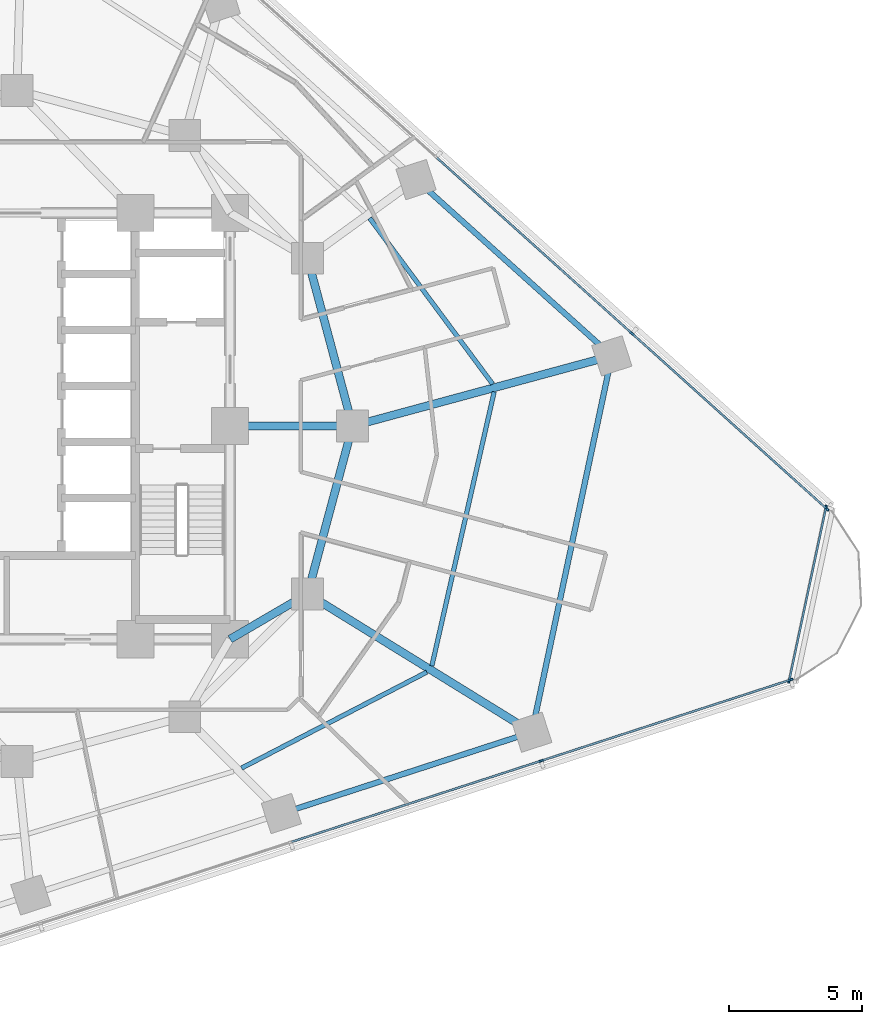
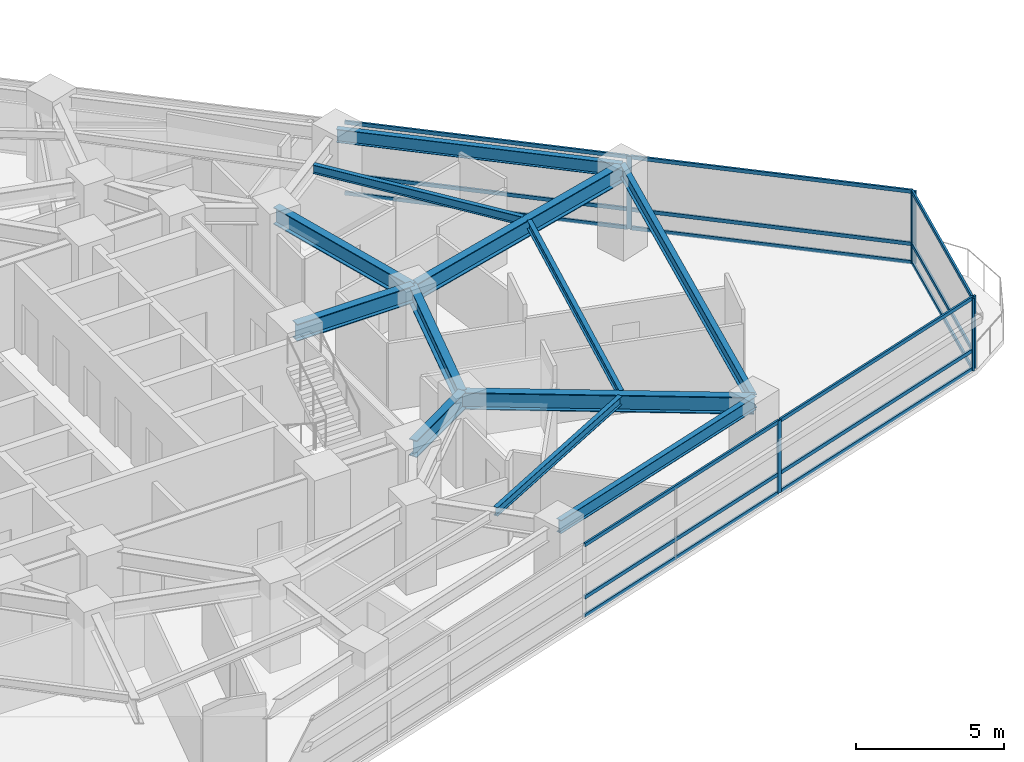
# One storey, part 4 of 13: 21 members, 12 beams, 3 elements without a shape of their own.
"""IFC4 building model written with IfcOpenShell, lengths in metres."""

import ifcopenshell
import ifcopenshell.guid

model = None  # the IFC model being written
_history = None  # IfcOwnerHistory: only IFC2X3 demands one
_inside = {}  # id of a spatial element -> (the spatial element, [elements in it])
_under = {}  # id of a project, library or spatial element -> (it, [spatial elements below it])
_declared = {}  # id of a project -> (the project, [libraries it declares])
_typed = {}  # id of a type object -> (the type object, [elements of that type])
_made_of = {}  # id of a material, layer set ... -> (it, [elements and type objects made of it])


def new_model(schema):
    """Start an empty IFC model of exactly this schema.

    Asked for "IFC4X3", IfcOpenShell would pick the latest addendum, in which some entities
    have other attributes; the version numbers below select the first issue.
    IFC2X3 requires an IfcOwnerHistory on every rooted entity: one is made here for all.
    """
    global model, _history
    if schema == "IFC4X3":
        model = ifcopenshell.file(schema_version=(4, 3, 0, 0))
    else:
        model = ifcopenshell.file(schema=schema)
    _inside.clear()
    _under.clear()
    _declared.clear()
    _typed.clear()
    _made_of.clear()
    _history = None
    if model.schema == "IFC2X3":
        org = make("IfcOrganization", Name="unknown")
        user = make(
            "IfcPersonAndOrganization",
            ThePerson=make("IfcPerson", FamilyName="unknown"),
            TheOrganization=org,
        )
        app = make(
            "IfcApplication",
            ApplicationDeveloper=org,
            Version="unknown",
            ApplicationFullName="unknown",
            ApplicationIdentifier="unknown",
        )
        _history = make(
            "IfcOwnerHistory",
            OwningUser=user,
            OwningApplication=app,
            ChangeAction="ADDED",
            CreationDate=0,
        )
    return model


def make(cls, **values):
    """One entity of the class cls with the attributes given. An attribute that is None is left unset."""
    return model.create_entity(
        cls, **{name: value for name, value in values.items() if value is not None}
    )


def rooted(cls, **values):
    """An entity with a GlobalId (a new one), such as an element, a storey or a relation."""
    return make(cls, GlobalId=ifcopenshell.guid.new(), OwnerHistory=_history, **values)


def si_unit(unit_type, name, prefix=None):
    """IfcSIUnit, for example si_unit("LENGTHUNIT", "METRE", prefix="MILLI")."""
    return make("IfcSIUnit", UnitType=unit_type, Prefix=prefix, Name=name)


def assignment(units):
    """IfcUnitAssignment: the units of a project."""
    return None if units is None else make("IfcUnitAssignment", Units=units)


def point(xyz):
    """IfcCartesianPoint."""
    return None if xyz is None else make("IfcCartesianPoint", Coordinates=xyz)


def direction(xyz):
    """IfcDirection."""
    return None if xyz is None else make("IfcDirection", DirectionRatios=xyz)


def frame(location, z_axis=None, x_axis=None):
    """IfcAxis2Placement3D, a coordinate frame: its origin and axes. An axis left out is left unset."""
    return make(
        "IfcAxis2Placement3D",
        Location=point(location),
        Axis=direction(z_axis),
        RefDirection=direction(x_axis),
    )


def frame_2d(location, x_axis=None):
    """IfcAxis2Placement2D, a coordinate frame in the plane: its origin and x axis."""
    return make(
        "IfcAxis2Placement2D", Location=point(location), RefDirection=direction(x_axis)
    )


def origin():
    """The frame at (0, 0, 0) with its axes left unset."""
    return frame((0.0, 0.0, 0.0))


def origin_2d():
    """The frame at (0, 0) in the plane with its x axis left unset."""
    return frame_2d((0.0, 0.0))


def place(relative_to, where):
    """IfcLocalPlacement: puts the frame where relative to a parent placement (None: the world)."""
    return make(
        "IfcLocalPlacement", PlacementRelTo=relative_to, RelativePlacement=where
    )


def context(
    kind, dimensions, precision=None, world=None, true_north=None, identifier=None
):
    """IfcGeometricRepresentationContext, for example the 3D "Model" context."""
    return make(
        "IfcGeometricRepresentationContext",
        ContextIdentifier=identifier,
        ContextType=kind,
        CoordinateSpaceDimension=dimensions,
        Precision=precision,
        WorldCoordinateSystem=world,
        TrueNorth=true_north,
    )


def subcontext(parent, identifier, kind, view, scale=None):
    """IfcGeometricRepresentationSubContext, for example "Body" below "Model"."""
    return make(
        "IfcGeometricRepresentationSubContext",
        ContextIdentifier=identifier,
        ContextType=kind,
        ParentContext=parent,
        TargetScale=scale,
        TargetView=view,
    )


def project(units=None, contexts=None):
    """IfcProject with its units and contexts."""
    return rooted(
        "IfcProject",
        Name="project",
        RepresentationContexts=contexts,
        UnitsInContext=assignment(units),
    )


def spatial(cls, under=None, at=None, **own):
    """A site, building, storey or space (cls), placed at a placement, below another one or the project."""
    s = rooted(cls, ObjectPlacement=at, **own)
    if under is not None:
        _under.setdefault(under.id(), (under, []))[1].append(s)
    return s


def profile(cls, at=None, kind="AREA", **sizes):
    """A parametric profile (cls). Its sizes go by their IFC names, for example OverallWidth=200.0."""
    return make(cls, ProfileType=kind, Position=at, **sizes)


def rectangle(**sizes):
    """IfcRectangleProfileDef."""
    return profile("IfcRectangleProfileDef", **sizes)


def i_section(**sizes):
    """IfcIShapeProfileDef."""
    return profile("IfcIShapeProfileDef", **sizes)


def extrude(swept, where, along, depth):
    """IfcExtrudedAreaSolid: the profile swept, set in the frame where, extruded along a direction by depth."""
    return make(
        "IfcExtrudedAreaSolid",
        SweptArea=swept,
        Position=where,
        ExtrudedDirection=direction(along),
        Depth=depth,
    )


def shape(context_of_items, identifier, shape_type, items):
    """IfcShapeRepresentation: the items that make up one representation, for example the "Body"."""
    return make(
        "IfcShapeRepresentation",
        ContextOfItems=context_of_items,
        RepresentationIdentifier=identifier,
        RepresentationType=shape_type,
        Items=items,
    )


def material(Name=None, Category=None):
    """IfcMaterial."""
    return make("IfcMaterial", Name=Name, Category=Category)


def layer(
    of_material, thickness, ventilated=None, Name=None, Category=None, Priority=None
):
    """IfcMaterialLayer: one layer of a wall or slab, of a material (None: an air gap)."""
    return make(
        "IfcMaterialLayer",
        Material=of_material,
        LayerThickness=thickness,
        IsVentilated=ventilated,
        Name=Name,
        Category=Category,
        Priority=Priority,
    )


def layer_set(layers, Name=None):
    """IfcMaterialLayerSet."""
    return make("IfcMaterialLayerSet", MaterialLayers=layers, LayerSetName=Name)


def material_profile(
    of_material, cross_section, Name=None, Category=None, Priority=None
):
    """IfcMaterialProfile: a cross section and its material."""
    return make(
        "IfcMaterialProfile",
        Name=Name,
        Material=of_material,
        Profile=cross_section,
        Priority=Priority,
        Category=Category,
    )


def profile_set(profiles, Name=None, composite=None):
    """IfcMaterialProfileSet."""
    return make(
        "IfcMaterialProfileSet",
        Name=Name,
        MaterialProfiles=profiles,
        CompositeProfile=composite,
    )


def made_of(thing, what):
    """Note that an element or type object is made of a material, layer set ...; save() writes the relation."""
    if what is not None:
        _made_of.setdefault(what.id(), (what, []))[1].append(thing)
    return thing


def type_object(cls, material=None, **own):
    """A type object (cls), such as IfcWallType, which elements share."""
    return made_of(rooted(cls, **own), material)


def element(
    cls,
    number,
    at=None,
    inside=None,
    cuts=None,
    type_object=None,
    material=None,
    context=None,
    identifier="Body",
    shape_type=None,
    held_by="IfcProductDefinitionShape",
    body=None,
    shapes=None,
    **own,
):
    """One element of the class cls, such as IfcWall. Its Tag is "e" and its number.

    at: its placement. inside: the storey or other place that contains it. cuts: it is an
    opening in that element (IfcRelVoidsElement). A single representation is given by context,
    identifier, shape_type and body (its items); several are given by shapes. held_by: the class
    of the entity that holds the representations. save() writes the other relations.
    """
    e = rooted(cls, Tag="e%d" % number, ObjectPlacement=at, **own)
    if body is not None:
        shapes = [shape(context, identifier, shape_type, body)]
    if shapes is not None:
        e.Representation = make(held_by, Representations=shapes)
    if inside is not None:
        _inside.setdefault(inside.id(), (inside, []))[1].append(e)
    if cuts is not None:
        rooted(
            "IfcRelVoidsElement", RelatingBuildingElement=cuts, RelatedOpeningElement=e
        )
    if type_object is not None:
        _typed.setdefault(type_object.id(), (type_object, []))[1].append(e)
    return made_of(e, material)


def aggregate(whole, parts):
    """IfcRelAggregates: a whole, such as a stair, and the parts it consists of."""
    return rooted("IfcRelAggregates", RelatingObject=whole, RelatedObjects=parts)


def save(model, path):
    """Write the relations noted so far, then the file.

    IfcRelAggregates (storeys below a building ...), IfcRelContainedInSpatialStructure (elements
    in a storey), IfcRelDefinesByType, IfcRelAssociatesMaterial and IfcRelDeclares: one each for
    every whole, place, type object, material and project.
    """
    for whole, parts in _under.values():
        aggregate(whole, parts)
    for where, things in _inside.values():
        rooted(
            "IfcRelContainedInSpatialStructure",
            RelatedElements=things,
            RelatingStructure=where,
        )
    for kind, things in _typed.values():
        rooted("IfcRelDefinesByType", RelatedObjects=things, RelatingType=kind)
    for what, things in _made_of.values():
        rooted("IfcRelAssociatesMaterial", RelatedObjects=things, RelatingMaterial=what)
    for by, libraries in _declared.values():
        rooted("IfcRelDeclares", RelatingContext=by, RelatedDefinitions=libraries)
    model.write(path)


model = new_model("IFC4")

# Units and contexts
model_context = context("Model", 3, precision=1e-05, world=origin(), true_north=direction((0.0, 1.0)))
body_context = subcontext(model_context, "Body", "Model", "MODEL_VIEW")
ifc_project = project(units=[si_unit("LENGTHUNIT", "METRE"), si_unit("AREAUNIT", "SQUARE_METRE"), si_unit("VOLUMEUNIT", "CUBIC_METRE"), si_unit("PLANEANGLEUNIT", "RADIAN"), si_unit("MASSUNIT", "GRAM", prefix="KILO")], contexts=[model_context])

# Site, building, storey
site_placement = place(None, origin())
site = spatial("IfcSite", under=ifc_project, at=site_placement, CompositionType="ELEMENT")
building_placement = place(site_placement, origin())
building = spatial("IfcBuilding", under=site, at=building_placement, Name="Terralouvre Media Tower", CompositionType="ELEMENT")
storey_placement = place(building_placement, frame((0.0, 0.0, 101.39990234375)))
storey = spatial("IfcBuildingStorey", under=building, at=storey_placement, Name="L25", CompositionType="ELEMENT", Elevation=101.39990234375)

# Beams
ifc_material_1 = material(Name="Structural steel S355J2", Category="steel")
ifc_material_profile_1 = material_profile(ifc_material_1, i_section(OverallWidth=0.169921875, OverallDepth=0.360107421875, WebThickness=0.008056640625, FlangeThickness=0.0126953125, at=origin_2d()), Name="IPE 360")
ifc_profile_set_1 = profile_set([ifc_material_profile_1], Name="Structural steel S355J2")
beam_type_1 = type_object("IfcBeamType", Name="Composite Floor Joist J-IPE360 (IPE 360)", PredefinedType="JOIST", material=ifc_profile_set_1)
beam_1_placement = place(storey_placement, frame((8.431640625, -12.83984375, 3.320068359375), z_axis=(0.88785826519, 0.460117051339, 0.0), x_axis=(-0.460117051339, 0.88785826519, 0.0)))
element("IfcBeam", 1, at=beam_1_placement, inside=storey, type_object=beam_type_1, Name="L25 Framing Beam JT-L25-05", PredefinedType="JOIST", context=body_context, shape_type="SweptSolid", body=[
    extrude(i_section(OverallWidth=0.169921875, OverallDepth=0.360107421875, WebThickness=0.008056640625, FlangeThickness=0.0126953125, at=origin_2d()), origin(), (0.0, 0.0, 1.0), 7.8349609375),
])
beam_2_placement = place(storey_placement, frame((15.576171875, -9.002685546875, 3.320068359375), z_axis=(0.221710109681, 0.975112622862, 0.0), x_axis=(-0.975112622862, 0.221710109681, 0.0)))
element("IfcBeam", 2, at=beam_2_placement, inside=storey, type_object=beam_type_1, Name="L25 Framing Beam JT-L25-06", PredefinedType="JOIST", context=body_context, shape_type="SweptSolid", body=[
    extrude(i_section(OverallWidth=0.169921875, OverallDepth=0.360107421875, WebThickness=0.008056640625, FlangeThickness=0.0126953125, at=origin_2d()), origin(), (0.0, 0.0, 1.0), 10.551513671875),
])
beam_3_placement = place(storey_placement, frame((17.85791015625, 1.57763671875, 3.320068359375), z_axis=(-0.595682426609, 0.803220048697, 0.0), x_axis=(-0.803220048697, -0.595682426609, 0.0)))
element("IfcBeam", 3, at=beam_3_placement, inside=storey, type_object=beam_type_1, Name="L25 Framing Beam JT-L25-07", PredefinedType="JOIST", context=body_context, shape_type="SweptSolid", body=[
    extrude(i_section(OverallWidth=0.169921875, OverallDepth=0.360107421875, WebThickness=0.008056640625, FlangeThickness=0.0126953125, at=origin_2d()), origin(), (0.0, 0.0, 1.0), 7.7509765625),
])

# Curtain wall, members
ifc_material_2 = material(Name="Low-iron laminated double glazing with solar-control coating", Category="glass")
ifc_layer_1 = layer(ifc_material_2, 0.1650390625, Name="Lower Media Tower Unitised Curtain Wall CW-02")
ifc_layer_set_1 = layer_set([ifc_layer_1], Name="Low-iron laminated double glazing with solar-control coating")
curtain_wall_type_1 = type_object("IfcCurtainWallType", Name="Lower Media Tower Unitised Curtain Wall CW-02", PredefinedType="NOTDEFINED", material=ifc_layer_set_1)
curtain_wall_1_placement = place(storey_placement, origin())
curtain_wall_1 = element("IfcCurtainWall", 4, at=curtain_wall_1_placement, inside=storey, type_object=curtain_wall_type_1, Name="L25 Facade Curtain Wall F0", PredefinedType="NOTDEFINED")
ifc_material_3 = material(Name="Anodised extruded aluminium 6063-T6", Category="aluminium")
ifc_material_profile_2 = material_profile(ifc_material_3, rectangle(XDim=0.074951171875, YDim=0.14990234375, at=origin_2d()), Name="ALU 75x150")
ifc_profile_set_2 = profile_set([ifc_material_profile_2], Name="Anodised extruded aluminium 6063-T6")
member_type_1 = type_object("IfcMemberType", Name="Curtain-Wall Horizontal Transom TR-150", PredefinedType="USERDEFINED", material=ifc_profile_set_2)
member_1_placement = place(storey_placement, frame((10.309814453125, -15.610107421875, 0.03759765625), z_axis=(0.951061672682, 0.309001124198, 0.0), x_axis=(-0.309001124198, 0.951061672682, 0.0)))
member_1 = element("IfcMember", 5, at=member_1_placement, type_object=member_type_1, Name="CW-02 transom 4.1", ObjectType="TRANSOM", PredefinedType="USERDEFINED", context=body_context, shape_type="SweptSolid", body=[
    extrude(rectangle(XDim=0.074951171875, YDim=0.14990234375, at=origin_2d()), origin(), (0.0, 0.0, 1.0), 9.81298828125),
])
member_2_placement = place(storey_placement, frame((10.309814453125, -15.610107421875, 0.800048828125), z_axis=(0.951061672682, 0.309001124198, 0.0), x_axis=(-0.309001124198, 0.951061672682, 0.0)))
member_2 = element("IfcMember", 6, at=member_2_placement, type_object=member_type_1, Name="CW-02 transom 4.2", ObjectType="TRANSOM", PredefinedType="USERDEFINED", context=body_context, shape_type="SweptSolid", body=[
    extrude(rectangle(XDim=0.074951171875, YDim=0.14990234375, at=origin_2d()), origin(), (0.0, 0.0, 1.0), 9.81298828125),
])
member_3_placement = place(storey_placement, frame((10.309814453125, -15.610107421875, 2.962646484375), z_axis=(0.951061672682, 0.309001124198, 0.0), x_axis=(-0.309001124198, 0.951061672682, 0.0)))
member_3 = element("IfcMember", 7, at=member_3_placement, type_object=member_type_1, Name="CW-02 transom 4.3", ObjectType="TRANSOM", PredefinedType="USERDEFINED", context=body_context, shape_type="SweptSolid", body=[
    extrude(rectangle(XDim=0.074951171875, YDim=0.14990234375, at=origin_2d()), origin(), (0.0, 0.0, 1.0), 9.81298828125),
])
member_4_placement = place(storey_placement, frame((19.7138671875, -12.5546875, 0.03759765625), z_axis=(0.951058475667, 0.309010963983, 0.0), x_axis=(-0.309010963983, 0.951058475667, 0.0)))
member_4 = element("IfcMember", 8, at=member_4_placement, type_object=member_type_1, Name="CW-02 transom 5.1", ObjectType="TRANSOM", PredefinedType="USERDEFINED", context=body_context, shape_type="SweptSolid", body=[
    extrude(rectangle(XDim=0.074951171875, YDim=0.14990234375, at=origin_2d()), origin(), (0.0, 0.0, 1.0), 9.775634765625),
])
member_5_placement = place(storey_placement, frame((19.7138671875, -12.5546875, 0.800048828125), z_axis=(0.951058475667, 0.309010963983, 0.0), x_axis=(-0.309010963983, 0.951058475667, 0.0)))
member_5 = element("IfcMember", 9, at=member_5_placement, type_object=member_type_1, Name="CW-02 transom 5.2", ObjectType="TRANSOM", PredefinedType="USERDEFINED", context=body_context, shape_type="SweptSolid", body=[
    extrude(rectangle(XDim=0.074951171875, YDim=0.14990234375, at=origin_2d()), origin(), (0.0, 0.0, 1.0), 9.775634765625),
])
member_6_placement = place(storey_placement, frame((19.7138671875, -12.5546875, 2.962646484375), z_axis=(0.951058475667, 0.309010963983, 0.0), x_axis=(-0.309010963983, 0.951058475667, 0.0)))
member_6 = element("IfcMember", 10, at=member_6_placement, type_object=member_type_1, Name="CW-02 transom 5.3", ObjectType="TRANSOM", PredefinedType="USERDEFINED", context=body_context, shape_type="SweptSolid", body=[
    extrude(rectangle(XDim=0.074951171875, YDim=0.14990234375, at=origin_2d()), origin(), (0.0, 0.0, 1.0), 9.775634765625),
])

curtain_wall_2_placement = place(storey_placement, origin())
curtain_wall_2 = element("IfcCurtainWall", 11, at=curtain_wall_2_placement, inside=storey, type_object=curtain_wall_type_1, Name="L25 Facade Curtain Wall F1", PredefinedType="NOTDEFINED")
member_7_placement = place(storey_placement, frame((30.380615234375, -3.09033203125, 0.03759765625), z_axis=(-0.743137656594, 0.669138568125, 0.0), x_axis=(-0.669138568125, -0.743137656594, 0.0)))
member_7 = element("IfcMember", 12, at=member_7_placement, type_object=member_type_1, Name="CW-02 transom 1.1", ObjectType="TRANSOM", PredefinedType="USERDEFINED", context=body_context, shape_type="SweptSolid", body=[
    extrude(rectangle(XDim=0.074951171875, YDim=0.14990234375, at=origin_2d()), origin(), (0.0, 0.0, 1.0), 9.775634765625),
])
member_8_placement = place(storey_placement, frame((30.380615234375, -3.09033203125, 0.800048828125), z_axis=(-0.743137656594, 0.669138568125, 0.0), x_axis=(-0.669138568125, -0.743137656594, 0.0)))
member_8 = element("IfcMember", 13, at=member_8_placement, type_object=member_type_1, Name="CW-02 transom 1.2", ObjectType="TRANSOM", PredefinedType="USERDEFINED", context=body_context, shape_type="SweptSolid", body=[
    extrude(rectangle(XDim=0.074951171875, YDim=0.14990234375, at=origin_2d()), origin(), (0.0, 0.0, 1.0), 9.775634765625),
])
member_9_placement = place(storey_placement, frame((30.380615234375, -3.09033203125, 2.962646484375), z_axis=(-0.743137656594, 0.669138568125, 0.0), x_axis=(-0.669138568125, -0.743137656594, 0.0)))
member_9 = element("IfcMember", 14, at=member_9_placement, type_object=member_type_1, Name="CW-02 transom 1.3", ObjectType="TRANSOM", PredefinedType="USERDEFINED", context=body_context, shape_type="SweptSolid", body=[
    extrude(rectangle(XDim=0.074951171875, YDim=0.14990234375, at=origin_2d()), origin(), (0.0, 0.0, 1.0), 9.775634765625),
])
member_10_placement = place(storey_placement, frame((23.060302734375, 3.5009765625, 0.03759765625), z_axis=(-0.743145676677, 0.669129661005, 0.0), x_axis=(-0.669129661005, -0.743145676677, 0.0)))
member_10 = element("IfcMember", 15, at=member_10_placement, type_object=member_type_1, Name="CW-02 transom 2.1", ObjectType="TRANSOM", PredefinedType="USERDEFINED", context=body_context, shape_type="SweptSolid", body=[
    extrude(rectangle(XDim=0.074951171875, YDim=0.14990234375, at=origin_2d()), origin(), (0.0, 0.0, 1.0), 9.81298828125),
])
member_11_placement = place(storey_placement, frame((23.060302734375, 3.5009765625, 0.800048828125), z_axis=(-0.743145676677, 0.669129661005, 0.0), x_axis=(-0.669129661005, -0.743145676677, 0.0)))
member_11 = element("IfcMember", 16, at=member_11_placement, type_object=member_type_1, Name="CW-02 transom 2.2", ObjectType="TRANSOM", PredefinedType="USERDEFINED", context=body_context, shape_type="SweptSolid", body=[
    extrude(rectangle(XDim=0.074951171875, YDim=0.14990234375, at=origin_2d()), origin(), (0.0, 0.0, 1.0), 9.81298828125),
])
member_12_placement = place(storey_placement, frame((23.060302734375, 3.5009765625, 2.962646484375), z_axis=(-0.743145676677, 0.669129661005, 0.0), x_axis=(-0.669129661005, -0.743145676677, 0.0)))
member_12 = element("IfcMember", 17, at=member_12_placement, type_object=member_type_1, Name="CW-02 transom 2.3", ObjectType="TRANSOM", PredefinedType="USERDEFINED", context=body_context, shape_type="SweptSolid", body=[
    extrude(rectangle(XDim=0.074951171875, YDim=0.14990234375, at=origin_2d()), origin(), (0.0, 0.0, 1.0), 9.81298828125),
])

ifc_material_4 = material(Name="Low-iron laminated double glazing with solar-control coating", Category="glass")
ifc_layer_2 = layer(ifc_material_4, 0.1650390625, Name="Rounded Wind-Corner Curved Glazing CW-04")
ifc_layer_set_2 = layer_set([ifc_layer_2], Name="Low-iron laminated double glazing with solar-control coating")
curtain_wall_type_2 = type_object("IfcCurtainWallType", Name="Rounded Wind-Corner Curved Glazing CW-04", PredefinedType="NOTDEFINED", material=ifc_layer_set_2)
curtain_wall_3_placement = place(storey_placement, origin())
curtain_wall_3 = element("IfcCurtainWall", 18, at=curtain_wall_3_placement, inside=storey, type_object=curtain_wall_type_2, Name="L25 Rounded Wind-Corner Curtain Wall C1", PredefinedType="NOTDEFINED")
member_13_placement = place(storey_placement, frame((28.998046875, -9.522216796875, 0.03759765625), z_axis=(0.207899641228, 0.978150161876, 0.0), x_axis=(-0.978150161876, 0.207899641228, 0.0)))
member_13 = element("IfcMember", 19, at=member_13_placement, type_object=member_type_1, Name="CW-04 transom 1.1", ObjectType="TRANSOM", PredefinedType="USERDEFINED", context=body_context, shape_type="SweptSolid", body=[
    extrude(rectangle(XDim=0.074951171875, YDim=0.14990234375, at=origin_2d()), origin(), (0.0, 0.0, 1.0), 6.5703125),
])
member_14_placement = place(storey_placement, frame((28.998046875, -9.522216796875, 0.800048828125), z_axis=(0.207899641228, 0.978150161876, 0.0), x_axis=(-0.978150161876, 0.207899641228, 0.0)))
member_14 = element("IfcMember", 20, at=member_14_placement, type_object=member_type_1, Name="CW-04 transom 1.2", ObjectType="TRANSOM", PredefinedType="USERDEFINED", context=body_context, shape_type="SweptSolid", body=[
    extrude(rectangle(XDim=0.074951171875, YDim=0.14990234375, at=origin_2d()), origin(), (0.0, 0.0, 1.0), 6.5703125),
])
member_15_placement = place(storey_placement, frame((28.998046875, -9.522216796875, 2.962646484375), z_axis=(0.207899641228, 0.978150161876, 0.0), x_axis=(-0.978150161876, 0.207899641228, 0.0)))
member_15 = element("IfcMember", 21, at=member_15_placement, type_object=member_type_1, Name="CW-04 transom 1.3", ObjectType="TRANSOM", PredefinedType="USERDEFINED", context=body_context, shape_type="SweptSolid", body=[
    extrude(rectangle(XDim=0.074951171875, YDim=0.14990234375, at=origin_2d()), origin(), (0.0, 0.0, 1.0), 6.5703125),
])

# Member
ifc_material_5 = material(Name="Anodised extruded aluminium 6063-T6", Category="aluminium")
ifc_material_profile_3 = material_profile(ifc_material_5, rectangle(XDim=0.074951171875, YDim=0.179931640625, at=origin_2d()), Name="ALU 75x180")
ifc_profile_set_3 = profile_set([ifc_material_profile_3], Name="Anodised extruded aluminium 6063-T6")
member_type_2 = type_object("IfcMemberType", Name="Curtain-Wall Vertical Mullion ML-180", PredefinedType="MULLION", material=ifc_profile_set_3)
member_16_placement = place(storey_placement, frame((19.67822265625, -12.566162109375, 0.0), z_axis=(0.0, 0.0, 1.0), x_axis=(-0.309017015439, 0.951056509451, 0.0)))
member_16 = element("IfcMember", 22, at=member_16_placement, type_object=member_type_2, Name="CW-02 mullion 5", PredefinedType="MULLION", context=body_context, shape_type="SweptSolid", body=[
    extrude(rectangle(XDim=0.074951171875, YDim=0.179931640625, at=origin_2d()), origin(), (0.0, 0.0, 1.0), 3.0),
])

member_17_placement = place(storey_placement, frame((29.046630859375, -9.522216796875, 0.0), z_axis=(0.0, 0.0, 1.0), x_axis=(-0.309017015439, 0.951056509451, 0.0)))
member_17 = element("IfcMember", 23, at=member_17_placement, type_object=member_type_2, Name="CW-02 mullion 6", PredefinedType="MULLION", context=body_context, shape_type="SweptSolid", body=[
    extrude(rectangle(XDim=0.074951171875, YDim=0.179931640625, at=origin_2d()), origin(), (0.0, 0.0, 1.0), 3.0),
])

aggregate(curtain_wall_1, [member_16, member_17, member_1, member_2, member_3, member_4, member_5, member_6])

member_18_placement = place(storey_placement, frame((30.408447265625, -3.115478515625, 0.0), z_axis=(0.0, 0.0, 1.0), x_axis=(-0.669130639602, -0.743144795545, 0.0)))
member_18 = element("IfcMember", 24, at=member_18_placement, type_object=member_type_2, Name="CW-02 mullion 1", PredefinedType="MULLION", context=body_context, shape_type="SweptSolid", body=[
    extrude(rectangle(XDim=0.074951171875, YDim=0.179931640625, at=origin_2d()), origin(), (0.0, 0.0, 1.0), 3.0),
])

member_19_placement = place(storey_placement, frame((23.088134765625, 3.475830078125, 0.0), z_axis=(0.0, 0.0, 1.0), x_axis=(-0.669130639602, -0.743144795545, 0.0)))
member_19 = element("IfcMember", 25, at=member_19_placement, type_object=member_type_2, Name="CW-02 mullion 2", PredefinedType="MULLION", context=body_context, shape_type="SweptSolid", body=[
    extrude(rectangle(XDim=0.074951171875, YDim=0.179931640625, at=origin_2d()), origin(), (0.0, 0.0, 1.0), 3.0),
])

aggregate(curtain_wall_2, [member_18, member_19, member_7, member_8, member_9, member_10, member_11, member_12])

member_20_placement = place(storey_placement, frame((28.990234375, -9.55908203125, 0.0), z_axis=(0.0, 0.0, 1.0), x_axis=(-0.978147617626, 0.207911611348, 0.0)))
member_20 = element("IfcMember", 26, at=member_20_placement, type_object=member_type_2, Name="CW-04 mullion 1", PredefinedType="MULLION", context=body_context, shape_type="SweptSolid", body=[
    extrude(rectangle(XDim=0.074951171875, YDim=0.179931640625, at=origin_2d()), origin(), (0.0, 0.0, 1.0), 3.0),
])

member_21_placement = place(storey_placement, frame((30.371826171875, -3.058837890625, 0.0), z_axis=(0.0, 0.0, 1.0), x_axis=(-0.978147617626, 0.207911611348, 0.0)))
member_21 = element("IfcMember", 27, at=member_21_placement, type_object=member_type_2, Name="CW-04 mullion 2", PredefinedType="MULLION", context=body_context, shape_type="SweptSolid", body=[
    extrude(rectangle(XDim=0.074951171875, YDim=0.179931640625, at=origin_2d()), origin(), (0.0, 0.0, 1.0), 3.0),
])

aggregate(curtain_wall_3, [member_20, member_21, member_13, member_14, member_15])

# Beams
ifc_material_6 = material(Name="Structural steel S355J2", Category="steel")
ifc_material_profile_4 = material_profile(ifc_material_6, i_section(OverallWidth=0.2099609375, OverallDepth=0.550048828125, WebThickness=0.010986328125, FlangeThickness=0.01708984375, at=origin_2d()), Name="IPE 550")
ifc_profile_set_4 = profile_set([ifc_material_profile_4], Name="Structural steel S355J2")
beam_type_2 = type_object("IfcBeamType", Name="Perimeter Spandrel Beam SPB-550 (IPE 550)", PredefinedType="SPANDREL", material=ifc_profile_set_4)
beam_4_placement = place(storey_placement, frame((9.925048828125, -14.547119140625, 3.22509765625), z_axis=(0.95105348149, 0.309026334389, 0.0), x_axis=(-0.309026334389, 0.95105348149, 0.0)))
element("IfcBeam", 28, at=beam_4_placement, inside=storey, type_object=beam_type_2, Name="L25 Framing Beam BM-L25-PR05", PredefinedType="SPANDREL", context=body_context, shape_type="SweptSolid", body=[
    extrude(i_section(OverallWidth=0.2099609375, OverallDepth=0.550048828125, WebThickness=0.010986328125, FlangeThickness=0.01708984375, at=origin_2d()), origin(), (0.0, 0.0, 1.0), 9.887939453125),
])
beam_5_placement = place(storey_placement, frame((19.3291015625, -11.491455078125, 3.22509765625), z_axis=(0.207911520129, 0.978147637015, 0.0), x_axis=(-0.978147637015, 0.207911520129, 0.0)))
element("IfcBeam", 29, at=beam_5_placement, inside=storey, type_object=beam_type_2, Name="L25 Framing Beam BM-L25-PR06", PredefinedType="SPANDREL", context=body_context, shape_type="SweptSolid", body=[
    extrude(i_section(OverallWidth=0.2099609375, OverallDepth=0.550048828125, WebThickness=0.010986328125, FlangeThickness=0.01708984375, at=origin_2d()), origin(), (0.0, 0.0, 1.0), 14.443359375),
])
beam_6_placement = place(storey_placement, frame((22.33203125, 2.63623046875, 3.22509765625), z_axis=(-0.743149256852, 0.669125684786, 0.0), x_axis=(-0.669125684786, -0.743149256852, 0.0)))
element("IfcBeam", 30, at=beam_6_placement, inside=storey, type_object=beam_type_2, Name="L25 Framing Beam BM-L25-PR07", PredefinedType="SPANDREL", context=body_context, shape_type="SweptSolid", body=[
    extrude(i_section(OverallWidth=0.2099609375, OverallDepth=0.550048828125, WebThickness=0.010986328125, FlangeThickness=0.01708984375, at=origin_2d()), origin(), (0.0, 0.0, 1.0), 9.887939453125),
])
ifc_material_7 = material(Name="Structural steel S460M", Category="steel")
ifc_material_profile_5 = material_profile(ifc_material_7, i_section(OverallWidth=0.300048828125, OverallDepth=0.699951171875, WebThickness=0.01708984375, FlangeThickness=0.031982421875, at=origin_2d()), Name="HEB 700")
ifc_profile_set_5 = profile_set([ifc_material_profile_5], Name="Structural steel S460M")
beam_type_3 = type_object("IfcBeamType", Name="Primary Floor Girder B-HEB700 (HEB 700)", PredefinedType="BEAM", material=ifc_profile_set_5)
for number, where, z_axis, x_axis, name in (
    (31, (10.911865234375, -6.300048828125, 3.150146484375), (0.258838989821, 0.965920481897, 0.0), (-0.965920481897, 0.258838989821, 0.0), "L25 Framing Beam BM-L25-MR05"),
    (32, (12.60009765625, 0.0, 3.150146484375), (-0.258838989821, 0.965920481897, 0.0), (-0.965920481897, -0.258838989821, 0.0), "L25 Framing Beam BM-L25-MR06"),
):
    element("IfcBeam", number, at=place(storey_placement, frame(where, z_axis=z_axis, x_axis=x_axis)), inside=storey, type_object=beam_type_3, Name=name, PredefinedType="BEAM", context=body_context, shape_type="SweptSolid", body=[
        extrude(i_section(OverallWidth=0.300048828125, OverallDepth=0.699951171875, WebThickness=0.01708984375, FlangeThickness=0.031982421875, at=origin_2d()), origin(), (0.0, 0.0, 1.0), 6.522216796875),
    ])
beam_7_placement = place(storey_placement, frame((8.0, -8.0, 3.150146484375), z_axis=(0.863602894532, 0.504172629717, 0.0), x_axis=(-0.504172629717, 0.863602894532, 0.0)))
element("IfcBeam", 33, at=beam_7_placement, inside=storey, type_object=beam_type_3, Name="L25 Framing Beam BM-L25-CM05", PredefinedType="BEAM", context=body_context, shape_type="SweptSolid", body=[
    extrude(i_section(OverallWidth=0.300048828125, OverallDepth=0.699951171875, WebThickness=0.01708984375, FlangeThickness=0.031982421875, at=origin_2d()), origin(), (0.0, 0.0, 1.0), 3.371826171875),
])
beam_8_placement = place(storey_placement, frame((8.0, 0.0, 3.150146484375), z_axis=(1.0, 0.0, 0.0), x_axis=(0.0, 1.0, 0.0)))
element("IfcBeam", 34, at=beam_8_placement, inside=storey, type_object=beam_type_3, Name="L25 Framing Beam BM-L25-CM06", PredefinedType="BEAM", context=body_context, shape_type="SweptSolid", body=[
    extrude(i_section(OverallWidth=0.300048828125, OverallDepth=0.699951171875, WebThickness=0.01708984375, FlangeThickness=0.031982421875, at=origin_2d()), origin(), (0.0, 0.0, 1.0), 4.60009765625),
])
beam_9_placement = place(storey_placement, frame((10.911865234375, -6.300048828125, 3.150146484375), z_axis=(0.851135757445, -0.524945637565, 0.0), x_axis=(0.524945637565, 0.851135757445, 0.0)))
element("IfcBeam", 35, at=beam_9_placement, inside=storey, type_object=beam_type_3, Name="L25 Framing Beam BM-L25-RD06", PredefinedType="BEAM", context=body_context, shape_type="SweptSolid", body=[
    extrude(i_section(OverallWidth=0.300048828125, OverallDepth=0.699951171875, WebThickness=0.01708984375, FlangeThickness=0.031982421875, at=origin_2d()), origin(), (0.0, 0.0, 1.0), 9.889404296875),
])
beam_10_placement = place(storey_placement, frame((12.60009765625, 0.0, 3.150146484375), z_axis=(0.965213896705, 0.261461533707, 0.0), x_axis=(-0.261461533707, 0.965213896705, 0.0)))
element("IfcBeam", 36, at=beam_10_placement, inside=storey, type_object=beam_type_3, Name="L25 Framing Beam BM-L25-RD07", PredefinedType="BEAM", context=body_context, shape_type="SweptSolid", body=[
    extrude(i_section(OverallWidth=0.300048828125, OverallDepth=0.699951171875, WebThickness=0.01708984375, FlangeThickness=0.031982421875, at=origin_2d()), origin(), (0.0, 0.0, 1.0), 10.082763671875),
])

save(model, "model.ifc")
